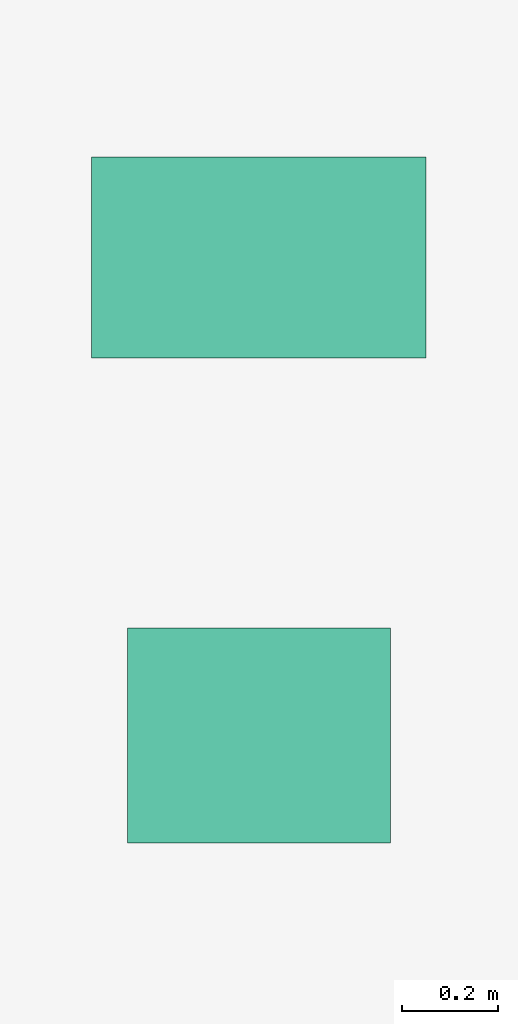
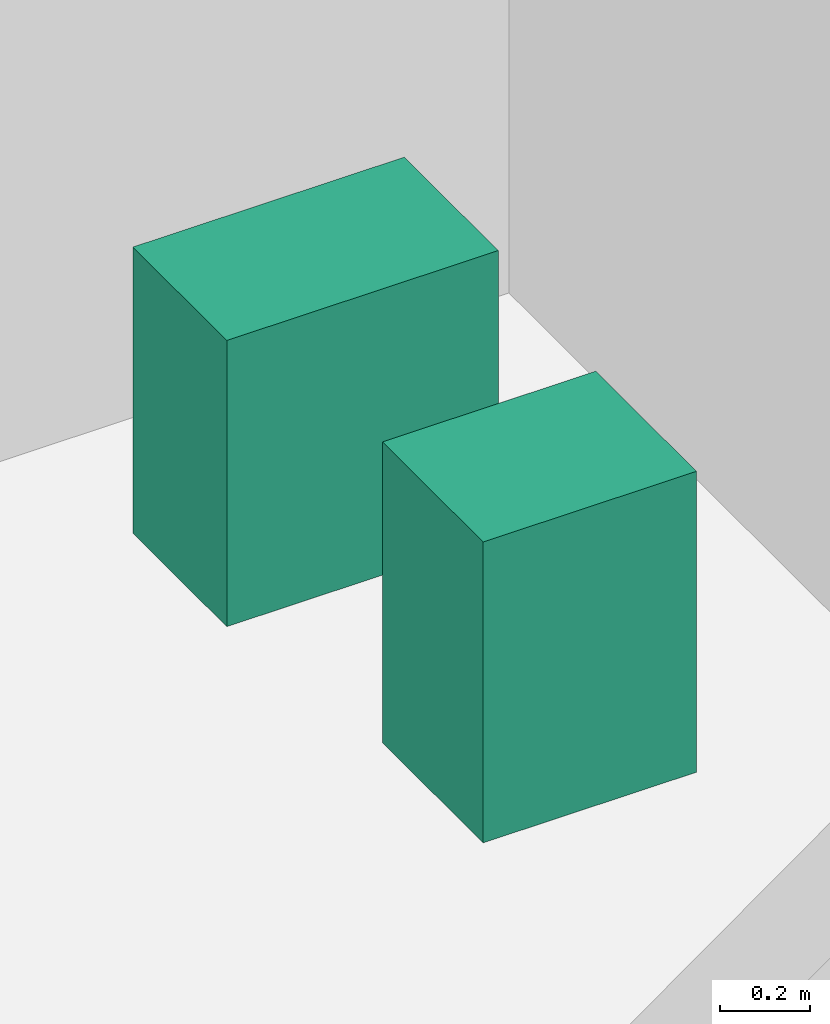
# One storey, part 26 of 26: 2 sanitary terminals.
"""IFC4 building model written with IfcOpenShell, lengths in metres."""

from ifc_helpers import new_model, si_unit, direction, frame, origin, origin_2d, place, context, subcontext, project, spatial, rectangle, extrude, source, transform, mapped, material, type_object, element, save


model = new_model("IFC4")

# Units and contexts
model_context = context("Model", 3, precision=1e-05, world=origin(), true_north=direction((0.0, 1.0)))
body_context = subcontext(model_context, "Body", "Model", "MODEL_VIEW")
ifc_project = project(units=[si_unit("LENGTHUNIT", "METRE"), si_unit("AREAUNIT", "SQUARE_METRE"), si_unit("VOLUMEUNIT", "CUBIC_METRE"), si_unit("PLANEANGLEUNIT", "RADIAN"), si_unit("MASSUNIT", "GRAM", prefix="KILO")], contexts=[model_context])

# Site, building, storey
site_placement = place(None, origin())
site = spatial("IfcSite", under=ifc_project, at=site_placement, CompositionType="ELEMENT")
building_placement = place(site_placement, origin())
building = spatial("IfcBuilding", under=site, at=building_placement, Name="Sumidabori Civic Tower", CompositionType="ELEMENT")
storey_placement = place(building_placement, frame((0.0, 0.0, 264.800048828125)))
storey = spatial("IfcBuildingStorey", under=building, at=storey_placement, Name="L69", CompositionType="ELEMENT", Elevation=264.800048828125)

# Sanitary terminals
ifc_material = material(Name="Vitreous Sanitary Porcelain")
sanitary_terminal_type_1 = type_object("IfcSanitaryTerminalType", Name="SN-WC-1", PredefinedType="TOILETPAN", material=ifc_material)
shared_shape_1 = source(origin(), body_context, "Body", "SweptSolid", [
    extrude(rectangle(XDim=0.699951171875, YDim=0.419921875, at=origin_2d()), origin(), (0.0, 0.0, 1.0), 0.780029296875),
])
sanitary_terminal_1_placement = place(storey_placement, frame((10.800048828125, 21.85009765625, 0.0), z_axis=(0.0, 0.0, 1.0), x_axis=(1.0, 0.0, 0.0)))
element("IfcSanitaryTerminal", 1, at=sanitary_terminal_1_placement, inside=storey, type_object=sanitary_terminal_type_1, Name="Accessible WC Pan L69", PredefinedType="TOILETPAN", context=body_context, shape_type="MappedRepresentation", body=[
    mapped(shared_shape_1, transform((0.0, 0.0, 0.0), x_axis=(1.0, 0.0, 0.0), y_axis=(0.0, 1.0, 0.0), z_axis=(0.0, 0.0, 1.0), scale=1.0)),
])
sanitary_terminal_type_2 = type_object("IfcSanitaryTerminalType", Name="SN-BAS-1", PredefinedType="WASHHANDBASIN", material=ifc_material)
shared_shape_2 = source(origin(), body_context, "Body", "SweptSolid", [
    extrude(rectangle(XDim=0.550048828125, YDim=0.449951171875, at=origin_2d()), origin(), (0.0, 0.0, 1.0), 0.820068359375),
])
sanitary_terminal_2_placement = place(storey_placement, frame((10.800048828125, 20.85009765625, 0.0), z_axis=(0.0, 0.0, 1.0), x_axis=(1.0, 0.0, 0.0)))
element("IfcSanitaryTerminal", 2, at=sanitary_terminal_2_placement, inside=storey, type_object=sanitary_terminal_type_2, Name="Accessible Basin L69", PredefinedType="WASHHANDBASIN", context=body_context, shape_type="MappedRepresentation", body=[
    mapped(shared_shape_2, transform((0.0, 0.0, 0.0), x_axis=(1.0, 0.0, 0.0), y_axis=(0.0, 1.0, 0.0), z_axis=(0.0, 0.0, 1.0), scale=1.0)),
])

save(model, "model.ifc")
